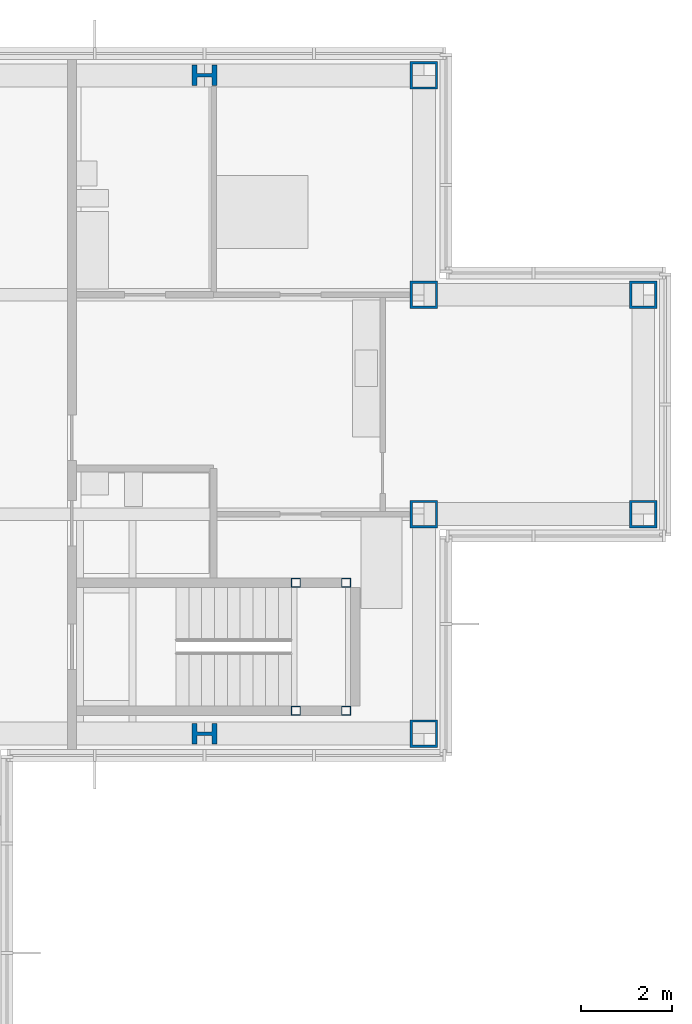
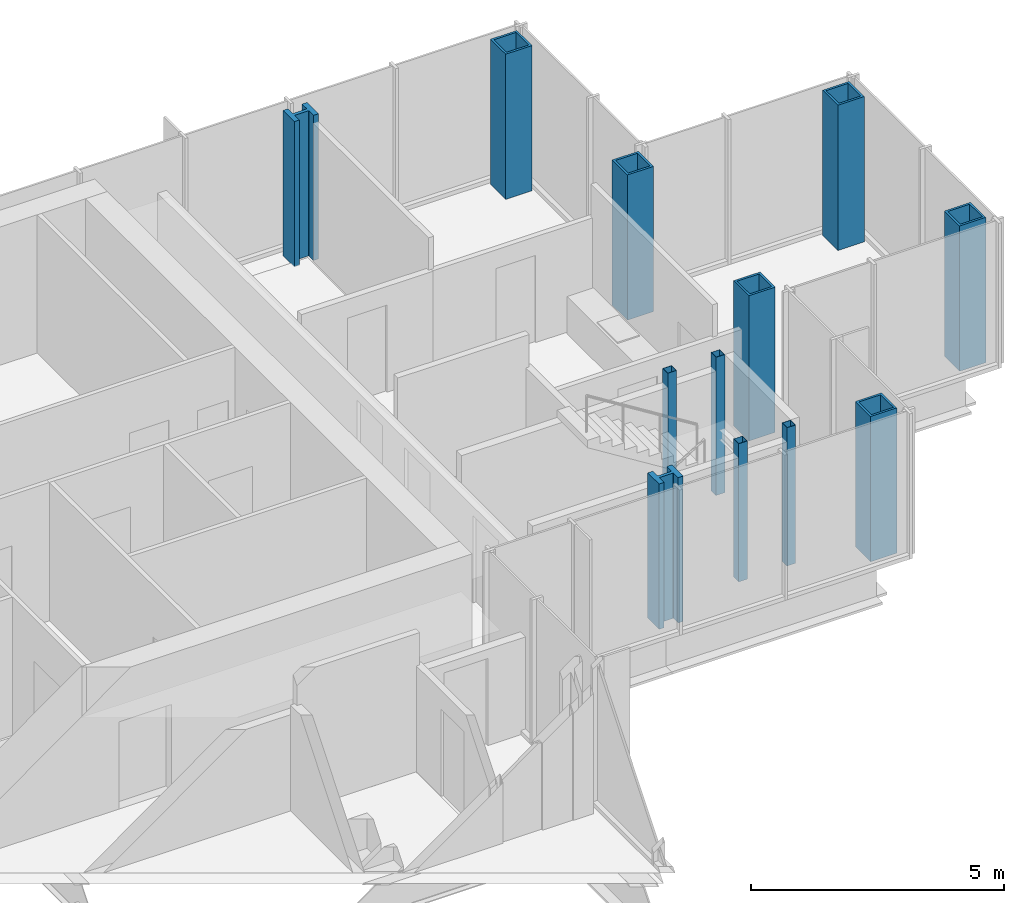
# One storey, part 4 of 15: 12 columns.
"""IFC4 building model written with IfcOpenShell, lengths in metres."""

from ifc_helpers import new_model, si_unit, direction, frame, origin, origin_2d, place, context, subcontext, project, spatial, hollow_rectangle, i_section, extrude, material, material_profile, profile_set, type_object, element, save


model = new_model("IFC4")

# Units and contexts
model_context = context("Model", 3, precision=1e-05, world=origin(), true_north=direction((0.0, 1.0)))
body_context = subcontext(model_context, "Body", "Model", "MODEL_VIEW")
ifc_project = project(units=[si_unit("LENGTHUNIT", "METRE"), si_unit("AREAUNIT", "SQUARE_METRE"), si_unit("VOLUMEUNIT", "CUBIC_METRE"), si_unit("PLANEANGLEUNIT", "RADIAN"), si_unit("MASSUNIT", "GRAM", prefix="KILO")], contexts=[model_context])

# Site, building, storey
site_placement = place(None, origin())
site = spatial("IfcSite", under=ifc_project, at=site_placement, CompositionType="ELEMENT")
building_placement = place(site_placement, origin())
building = spatial("IfcBuilding", under=site, at=building_placement, Name="Kvirike Care Tower", CompositionType="ELEMENT")
storey_placement = place(building_placement, frame((0.0, 0.0, 226.0)))
storey = spatial("IfcBuildingStorey", under=building, at=storey_placement, Name="L62", CompositionType="ELEMENT", Elevation=226.0)

# Columns
ifc_material_1 = material(Name="Steel S460", Category="steel")
ifc_material_profile_1 = material_profile(ifc_material_1, hollow_rectangle(XDim=0.60009765625, YDim=0.60009765625, WallThickness=0.050048828125, at=origin_2d()), Name="BX 600x600x50")
ifc_profile_set_1 = profile_set([ifc_material_profile_1], Name="Steel S460")
column_type_1 = type_object("IfcColumnType", Name="COLUMN BX 600x600x50", PredefinedType="COLUMN", material=ifc_profile_set_1)
for number, where, z_axis, x_axis, name in (
    (1, (38.39990234375, 28.800048828125, 0.0), (0.0, 0.0, 1.0), (0.0, 1.0, 0.0), "Column G11 L62"),
    (2, (38.39990234375, 33.60009765625, 0.0), (0.0, 0.0, 1.0), (0.0, 1.0, 0.0), "Column H11 L62"),
    (3, (38.39990234375, 38.39990234375, 0.0), (0.0, 0.0, 1.0), (0.0, 1.0, 0.0), "Column J11 L62"),
    (4, (38.39990234375, 43.199951171875, 0.0), (0.0, 0.0, 1.0), (0.0, 1.0, 0.0), "Column K11 L62"),
    (5, (43.199951171875, 33.60009765625, 0.0), (0.0, 0.0, 1.0), (0.0, 1.0, 0.0), "Column H12 L62"),
    (6, (43.199951171875, 38.39990234375, 0.0), (0.0, 0.0, 1.0), (0.0, 1.0, 0.0), "Column J12 L62"),
):
    element("IfcColumn", number, at=place(storey_placement, frame(where, z_axis=z_axis, x_axis=x_axis)), inside=storey, type_object=column_type_1, Name=name, PredefinedType="COLUMN", context=body_context, shape_type="SweptSolid", body=[
        extrude(hollow_rectangle(XDim=0.60009765625, YDim=0.60009765625, WallThickness=0.050048828125, at=origin_2d()), origin(), (0.0, 0.0, 1.0), 3.5),
    ])
ifc_material_2 = material(Name="Steel S460", Category="steel")
ifc_material_profile_2 = material_profile(ifc_material_2, i_section(OverallWidth=0.447998046875, OverallDepth=0.550048828125, WebThickness=0.072021484375, FlangeThickness=0.114990234375, FilletRadius=0.014892578125, at=origin_2d()), Name="HD 400x990")
ifc_profile_set_2 = profile_set([ifc_material_profile_2], Name="Steel S460")
column_type_2 = type_object("IfcColumnType", Name="COLUMN HD 400x990", PredefinedType="COLUMN", material=ifc_profile_set_2)
for number, where, z_axis, x_axis, name in (
    (7, (33.60009765625, 28.800048828125, 0.0), (0.0, 0.0, 1.0), (0.0, 1.0, 0.0), "Column G10 L62"),
    (8, (33.60009765625, 43.199951171875, 0.0), (0.0, 0.0, 1.0), (0.0, 1.0, 0.0), "Column K10 L62"),
):
    element("IfcColumn", number, at=place(storey_placement, frame(where, z_axis=z_axis, x_axis=x_axis)), inside=storey, type_object=column_type_2, Name=name, PredefinedType="COLUMN", context=body_context, shape_type="SweptSolid", body=[
        extrude(i_section(OverallWidth=0.447998046875, OverallDepth=0.550048828125, WebThickness=0.072021484375, FlangeThickness=0.114990234375, FilletRadius=0.014892578125, at=origin_2d()), origin(), (0.0, 0.0, 1.0), 3.5),
    ])
ifc_material_3 = material(Name="Steel S460", Category="steel")
ifc_material_profile_3 = material_profile(ifc_material_3, hollow_rectangle(XDim=0.199951171875, YDim=0.199951171875, WallThickness=0.008056640625, at=origin_2d()), Name="SHS 200x200x8")
ifc_profile_set_3 = profile_set([ifc_material_profile_3], Name="Steel S460")
column_type_3 = type_object("IfcColumnType", Name="STAIR POST SHS 200x200x8", PredefinedType="COLUMN", material=ifc_profile_set_3)
for number, where, z_axis, x_axis, name in (
    (9, (36.699951171875, 29.300048828125, 0.0), (0.0, 0.0, 1.0), (1.0, 0.0, 0.0), "Stair 2 post 1 L62"),
    (10, (36.699951171875, 32.10009765625, 0.0), (0.0, 0.0, 1.0), (1.0, 0.0, 0.0), "Stair 2 post 2 L62"),
    (11, (35.60009765625, 29.300048828125, 0.0), (0.0, 0.0, 1.0), (1.0, 0.0, 0.0), "Stair 2 post 3 L62"),
    (12, (35.60009765625, 32.10009765625, 0.0), (0.0, 0.0, 1.0), (1.0, 0.0, 0.0), "Stair 2 post 4 L62"),
):
    element("IfcColumn", number, at=place(storey_placement, frame(where, z_axis=z_axis, x_axis=x_axis)), inside=storey, type_object=column_type_3, Name=name, PredefinedType="COLUMN", context=body_context, shape_type="SweptSolid", body=[
        extrude(hollow_rectangle(XDim=0.199951171875, YDim=0.199951171875, WallThickness=0.008056640625, at=origin_2d()), origin(), (0.0, 0.0, 1.0), 3.330078125),
    ])

save(model, "model.ifc")
